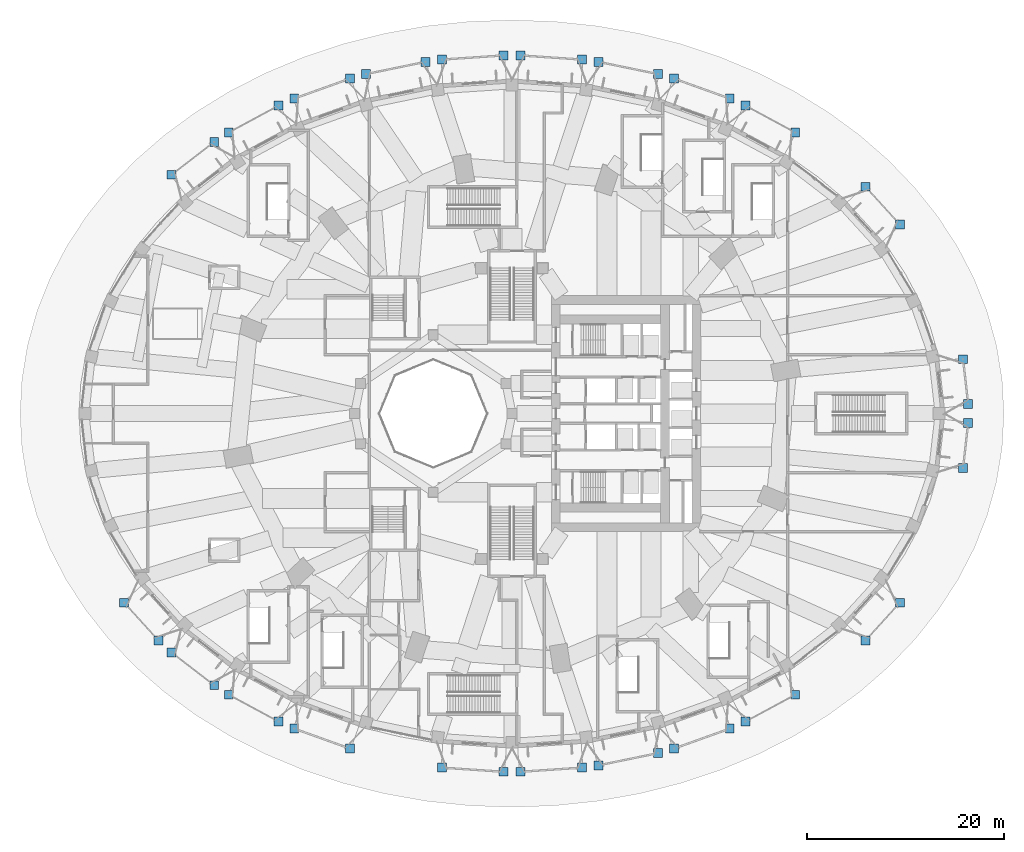
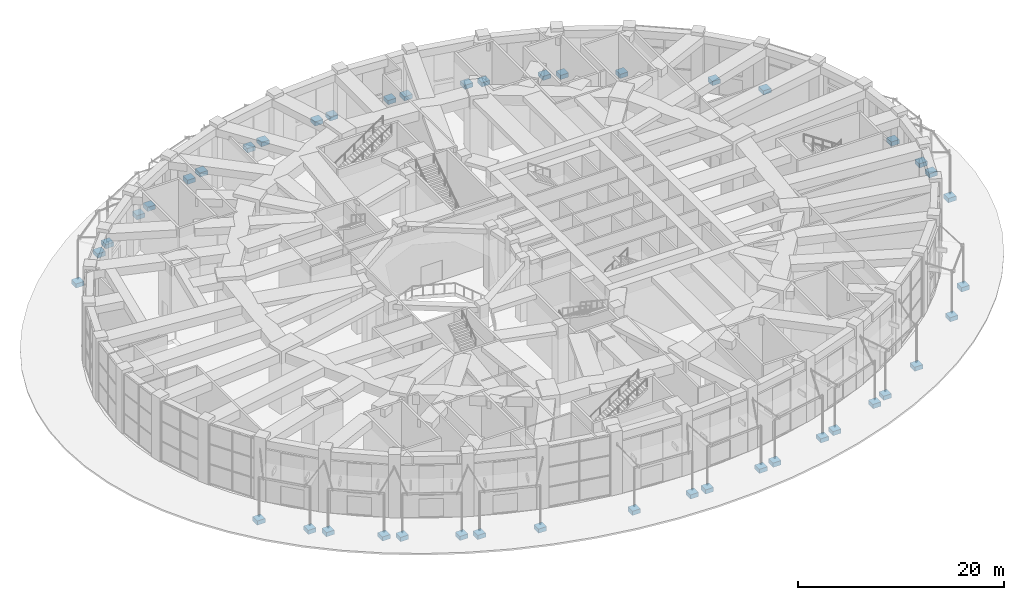
# One storey, part 1 of 60: 44 footings.
"""IFC4 building model written with IfcOpenShell, lengths in metres."""

from ifc_helpers import new_model, si_unit, direction, frame, origin, place, context, subcontext, project, spatial, polyline, outline, extrude, material, layer, layer_set, type_object, element, save


model = new_model("IFC4")

# Units and contexts
model_context = context("Model", 3, precision=1e-05, world=origin(), true_north=direction((0.0, 1.0)))
body_context = subcontext(model_context, "Body", "Model", "MODEL_VIEW")
ifc_project = project(units=[si_unit("LENGTHUNIT", "METRE"), si_unit("AREAUNIT", "SQUARE_METRE"), si_unit("VOLUMEUNIT", "CUBIC_METRE"), si_unit("PLANEANGLEUNIT", "RADIAN"), si_unit("MASSUNIT", "GRAM", prefix="KILO")], contexts=[model_context])

# Site, building, storey
site_placement = place(None, origin())
site = spatial("IfcSite", under=ifc_project, at=site_placement, CompositionType="ELEMENT")
building_placement = place(site_placement, origin())
building = spatial("IfcBuilding", under=site, at=building_placement, Name="Taillehof Tower", CompositionType="ELEMENT")
storey_placement = place(building_placement, origin())
storey = spatial("IfcBuildingStorey", under=building, at=storey_placement, Name="L00", CompositionType="ELEMENT", Elevation=0.0)

# Footings
ifc_material = material(Name="Concrete C35/45", Category="concrete")
ifc_layer = layer(ifc_material, 0.5)
ifc_layer_set = layer_set([ifc_layer], Name="Canopy post footing 900x500")
footing_type = type_object("IfcFootingType", Name="Canopy post footing 900x500", PredefinedType="PAD_FOOTING", material=ifc_layer_set)
footing_1_placement = place(storey_placement, frame((0.0, 0.0, -0.699951171875)))
element("IfcFooting", 1, at=footing_1_placement, inside=storey, type_object=footing_type, Name="Canopy post footing E18", PredefinedType="PAD_FOOTING", context=body_context, shape_type="SweptSolid", body=[
    extrude(outline(polyline([(45.90673828125, 0.518798828125), (46.806640625, 0.518798828125), (46.806640625, 1.4189453125), (45.90673828125, 1.4189453125), (45.90673828125, 0.518798828125)])), origin(), (0.0, 0.0, 1.0), 0.5),
])
footing_2_placement = place(storey_placement, frame((0.0, 0.0, -0.699951171875)))
element("IfcFooting", 2, at=footing_2_placement, inside=storey, type_object=footing_type, Name="Canopy post footing E18", PredefinedType="PAD_FOOTING", context=body_context, shape_type="SweptSolid", body=[
    extrude(outline(polyline([(45.389404296875, 5.068603515625), (46.28955078125, 5.068603515625), (46.28955078125, 5.968505859375), (45.389404296875, 5.968505859375), (45.389404296875, 5.068603515625)])), origin(), (0.0, 0.0, 1.0), 0.5),
])
footing_3_placement = place(storey_placement, frame((0.0, 0.0, -0.699951171875)))
element("IfcFooting", 3, at=footing_3_placement, inside=storey, type_object=footing_type, Name="Canopy post footing E14", PredefinedType="PAD_FOOTING", context=body_context, shape_type="SweptSolid", body=[
    extrude(outline(polyline([(38.96337890625, 18.7705078125), (39.86328125, 18.7705078125), (39.86328125, 19.67041015625), (38.96337890625, 19.67041015625), (38.96337890625, 18.7705078125)])), origin(), (0.0, 0.0, 1.0), 0.5),
])
footing_4_placement = place(storey_placement, frame((0.0, 0.0, -0.699951171875)))
element("IfcFooting", 4, at=footing_4_placement, inside=storey, type_object=footing_type, Name="Canopy post footing E14", PredefinedType="PAD_FOOTING", context=body_context, shape_type="SweptSolid", body=[
    extrude(outline(polyline([(35.480224609375, 22.599365234375), (36.380126953125, 22.599365234375), (36.380126953125, 23.49951171875), (35.480224609375, 23.49951171875), (35.480224609375, 22.599365234375)])), origin(), (0.0, 0.0, 1.0), 0.5),
])
footing_5_placement = place(storey_placement, frame((0.0, 0.0, -0.699951171875)))
element("IfcFooting", 5, at=footing_5_placement, inside=storey, type_object=footing_type, Name="Canopy post footing E9", PredefinedType="PAD_FOOTING", context=body_context, shape_type="SweptSolid", body=[
    extrude(outline(polyline([(28.330322265625, 28.123291015625), (29.23046875, 28.123291015625), (29.23046875, 29.0234375), (28.330322265625, 29.0234375), (28.330322265625, 28.123291015625)])), origin(), (0.0, 0.0, 1.0), 0.5),
])
footing_6_placement = place(storey_placement, frame((0.0, 0.0, -0.699951171875)))
element("IfcFooting", 6, at=footing_6_placement, inside=storey, type_object=footing_type, Name="Canopy post footing E9", PredefinedType="PAD_FOOTING", context=body_context, shape_type="SweptSolid", body=[
    extrude(outline(polyline([(23.26171875, 30.85498046875), (24.16162109375, 30.85498046875), (24.16162109375, 31.755126953125), (23.26171875, 31.755126953125), (23.26171875, 30.85498046875)])), origin(), (0.0, 0.0, 1.0), 0.5),
])
footing_7_placement = place(storey_placement, frame((0.0, 0.0, -0.699951171875)))
element("IfcFooting", 7, at=footing_7_placement, inside=storey, type_object=footing_type, Name="Canopy post footing E10", PredefinedType="PAD_FOOTING", context=body_context, shape_type="SweptSolid", body=[
    extrude(outline(polyline([(21.676025390625, 31.56201171875), (22.575927734375, 31.56201171875), (22.575927734375, 32.462158203125), (21.676025390625, 32.462158203125), (21.676025390625, 31.56201171875)])), origin(), (0.0, 0.0, 1.0), 0.5),
])
footing_8_placement = place(storey_placement, frame((0.0, 0.0, -0.699951171875)))
element("IfcFooting", 8, at=footing_8_placement, inside=storey, type_object=footing_type, Name="Canopy post footing E10", PredefinedType="PAD_FOOTING", context=body_context, shape_type="SweptSolid", body=[
    extrude(outline(polyline([(16.029296875, 33.588623046875), (16.929443359375, 33.588623046875), (16.929443359375, 34.48876953125), (16.029296875, 34.48876953125), (16.029296875, 33.588623046875)])), origin(), (0.0, 0.0, 1.0), 0.5),
])
footing_9_placement = place(storey_placement, frame((0.0, 0.0, -0.699951171875)))
element("IfcFooting", 9, at=footing_9_placement, inside=storey, type_object=footing_type, Name="Canopy post footing E11", PredefinedType="PAD_FOOTING", context=body_context, shape_type="SweptSolid", body=[
    extrude(outline(polyline([(14.379638671875, 34.05224609375), (15.279541015625, 34.05224609375), (15.279541015625, 34.952392578125), (14.379638671875, 34.952392578125), (14.379638671875, 34.05224609375)])), origin(), (0.0, 0.0, 1.0), 0.5),
])
footing_10_placement = place(storey_placement, frame((0.0, 0.0, -0.699951171875)))
element("IfcFooting", 10, at=footing_10_placement, inside=storey, type_object=footing_type, Name="Canopy post footing E11", PredefinedType="PAD_FOOTING", context=body_context, shape_type="SweptSolid", body=[
    extrude(outline(polyline([(8.333251953125, 35.29931640625), (9.2333984375, 35.29931640625), (9.2333984375, 36.19921875), (8.333251953125, 36.19921875), (8.333251953125, 35.29931640625)])), origin(), (0.0, 0.0, 1.0), 0.5),
])
footing_11_placement = place(storey_placement, frame((0.0, 0.0, -0.699951171875)))
element("IfcFooting", 11, at=footing_11_placement, inside=storey, type_object=footing_type, Name="Canopy post footing E12", PredefinedType="PAD_FOOTING", context=body_context, shape_type="SweptSolid", body=[
    extrude(outline(polyline([(6.6484375, 35.528564453125), (7.548583984375, 35.528564453125), (7.548583984375, 36.4287109375), (6.6484375, 36.4287109375), (6.6484375, 35.528564453125)])), origin(), (0.0, 0.0, 1.0), 0.5),
])
footing_12_placement = place(storey_placement, frame((0.0, 0.0, -0.699951171875)))
element("IfcFooting", 12, at=footing_12_placement, inside=storey, type_object=footing_type, Name="Canopy post footing E12", PredefinedType="PAD_FOOTING", context=body_context, shape_type="SweptSolid", body=[
    extrude(outline(polyline([(0.39794921875, 35.949462890625), (1.2978515625, 35.949462890625), (1.2978515625, 36.849609375), (0.39794921875, 36.849609375), (0.39794921875, 35.949462890625)])), origin(), (0.0, 0.0, 1.0), 0.5),
])
footing_13_placement = place(storey_placement, frame((0.0, 0.0, -0.699951171875)))
element("IfcFooting", 13, at=footing_13_placement, inside=storey, type_object=footing_type, Name="Canopy post footing E16", PredefinedType="PAD_FOOTING", context=body_context, shape_type="SweptSolid", body=[
    extrude(outline(polyline([(-1.2978515625, 35.949462890625), (-0.39794921875, 35.949462890625), (-0.39794921875, 36.849609375), (-1.2978515625, 36.849609375), (-1.2978515625, 35.949462890625)])), origin(), (0.0, 0.0, 1.0), 0.5),
])
footing_14_placement = place(storey_placement, frame((0.0, 0.0, -0.699951171875)))
element("IfcFooting", 14, at=footing_14_placement, inside=storey, type_object=footing_type, Name="Canopy post footing E16", PredefinedType="PAD_FOOTING", context=body_context, shape_type="SweptSolid", body=[
    extrude(outline(polyline([(-7.548583984375, 35.528564453125), (-6.6484375, 35.528564453125), (-6.6484375, 36.4287109375), (-7.548583984375, 36.4287109375), (-7.548583984375, 35.528564453125)])), origin(), (0.0, 0.0, 1.0), 0.5),
])
footing_15_placement = place(storey_placement, frame((0.0, 0.0, -0.699951171875)))
element("IfcFooting", 15, at=footing_15_placement, inside=storey, type_object=footing_type, Name="Canopy post footing E17", PredefinedType="PAD_FOOTING", context=body_context, shape_type="SweptSolid", body=[
    extrude(outline(polyline([(-9.2333984375, 35.29931640625), (-8.333251953125, 35.29931640625), (-8.333251953125, 36.19921875), (-9.2333984375, 36.19921875), (-9.2333984375, 35.29931640625)])), origin(), (0.0, 0.0, 1.0), 0.5),
])
footing_16_placement = place(storey_placement, frame((0.0, 0.0, -0.699951171875)))
element("IfcFooting", 16, at=footing_16_placement, inside=storey, type_object=footing_type, Name="Canopy post footing E17", PredefinedType="PAD_FOOTING", context=body_context, shape_type="SweptSolid", body=[
    extrude(outline(polyline([(-15.279541015625, 34.05224609375), (-14.379638671875, 34.05224609375), (-14.379638671875, 34.952392578125), (-15.279541015625, 34.952392578125), (-15.279541015625, 34.05224609375)])), origin(), (0.0, 0.0, 1.0), 0.5),
])
footing_17_placement = place(storey_placement, frame((0.0, 0.0, -0.699951171875)))
element("IfcFooting", 17, at=footing_17_placement, inside=storey, type_object=footing_type, Name="Canopy post footing E1", PredefinedType="PAD_FOOTING", context=body_context, shape_type="SweptSolid", body=[
    extrude(outline(polyline([(-16.929443359375, 33.588623046875), (-16.029296875, 33.588623046875), (-16.029296875, 34.48876953125), (-16.929443359375, 34.48876953125), (-16.929443359375, 33.588623046875)])), origin(), (0.0, 0.0, 1.0), 0.5),
])
footing_18_placement = place(storey_placement, frame((0.0, 0.0, -0.699951171875)))
element("IfcFooting", 18, at=footing_18_placement, inside=storey, type_object=footing_type, Name="Canopy post footing E1", PredefinedType="PAD_FOOTING", context=body_context, shape_type="SweptSolid", body=[
    extrude(outline(polyline([(-22.575927734375, 31.56201171875), (-21.676025390625, 31.56201171875), (-21.676025390625, 32.462158203125), (-22.575927734375, 32.462158203125), (-22.575927734375, 31.56201171875)])), origin(), (0.0, 0.0, 1.0), 0.5),
])
footing_19_placement = place(storey_placement, frame((0.0, 0.0, -0.699951171875)))
element("IfcFooting", 19, at=footing_19_placement, inside=storey, type_object=footing_type, Name="Canopy post footing E20", PredefinedType="PAD_FOOTING", context=body_context, shape_type="SweptSolid", body=[
    extrude(outline(polyline([(-24.16162109375, 30.85498046875), (-23.26171875, 30.85498046875), (-23.26171875, 31.755126953125), (-24.16162109375, 31.755126953125), (-24.16162109375, 30.85498046875)])), origin(), (0.0, 0.0, 1.0), 0.5),
])
footing_20_placement = place(storey_placement, frame((0.0, 0.0, -0.699951171875)))
element("IfcFooting", 20, at=footing_20_placement, inside=storey, type_object=footing_type, Name="Canopy post footing E20", PredefinedType="PAD_FOOTING", context=body_context, shape_type="SweptSolid", body=[
    extrude(outline(polyline([(-29.23046875, 28.123291015625), (-28.330322265625, 28.123291015625), (-28.330322265625, 29.0234375), (-29.23046875, 29.0234375), (-29.23046875, 28.123291015625)])), origin(), (0.0, 0.0, 1.0), 0.5),
])
footing_21_placement = place(storey_placement, frame((0.0, 0.0, -0.699951171875)))
element("IfcFooting", 21, at=footing_21_placement, inside=storey, type_object=footing_type, Name="Canopy post footing E2", PredefinedType="PAD_FOOTING", context=body_context, shape_type="SweptSolid", body=[
    extrude(outline(polyline([(-30.713623046875, 27.161865234375), (-29.813720703125, 27.161865234375), (-29.813720703125, 28.06201171875), (-30.713623046875, 28.06201171875), (-30.713623046875, 27.161865234375)])), origin(), (0.0, 0.0, 1.0), 0.5),
])
footing_22_placement = place(storey_placement, frame((0.0, 0.0, -0.699951171875)))
element("IfcFooting", 22, at=footing_22_placement, inside=storey, type_object=footing_type, Name="Canopy post footing E2", PredefinedType="PAD_FOOTING", context=body_context, shape_type="SweptSolid", body=[
    extrude(outline(polyline([(-35.05078125, 23.82373046875), (-34.15087890625, 23.82373046875), (-34.15087890625, 24.7236328125), (-35.05078125, 24.7236328125), (-35.05078125, 23.82373046875)])), origin(), (0.0, 0.0, 1.0), 0.5),
])
footing_23_placement = place(storey_placement, frame((0.0, 0.0, -0.699951171875)))
element("IfcFooting", 23, at=footing_23_placement, inside=storey, type_object=footing_type, Name="Canopy post footing E3", PredefinedType="PAD_FOOTING", context=body_context, shape_type="SweptSolid", body=[
    extrude(outline(polyline([(-39.86328125, -19.67041015625), (-38.96337890625, -19.67041015625), (-38.96337890625, -18.7705078125), (-39.86328125, -18.7705078125), (-39.86328125, -19.67041015625)])), origin(), (0.0, 0.0, 1.0), 0.5),
])
footing_24_placement = place(storey_placement, frame((0.0, 0.0, -0.699951171875)))
element("IfcFooting", 24, at=footing_24_placement, inside=storey, type_object=footing_type, Name="Canopy post footing E3", PredefinedType="PAD_FOOTING", context=body_context, shape_type="SweptSolid", body=[
    extrude(outline(polyline([(-36.380126953125, -23.49951171875), (-35.480224609375, -23.49951171875), (-35.480224609375, -22.599365234375), (-36.380126953125, -22.599365234375), (-36.380126953125, -23.49951171875)])), origin(), (0.0, 0.0, 1.0), 0.5),
])
footing_25_placement = place(storey_placement, frame((0.0, 0.0, -0.699951171875)))
element("IfcFooting", 25, at=footing_25_placement, inside=storey, type_object=footing_type, Name="Canopy post footing E4", PredefinedType="PAD_FOOTING", context=body_context, shape_type="SweptSolid", body=[
    extrude(outline(polyline([(-35.05078125, -24.7236328125), (-34.15087890625, -24.7236328125), (-34.15087890625, -23.82373046875), (-35.05078125, -23.82373046875), (-35.05078125, -24.7236328125)])), origin(), (0.0, 0.0, 1.0), 0.5),
])
footing_26_placement = place(storey_placement, frame((0.0, 0.0, -0.699951171875)))
element("IfcFooting", 26, at=footing_26_placement, inside=storey, type_object=footing_type, Name="Canopy post footing E4", PredefinedType="PAD_FOOTING", context=body_context, shape_type="SweptSolid", body=[
    extrude(outline(polyline([(-30.713623046875, -28.06201171875), (-29.813720703125, -28.06201171875), (-29.813720703125, -27.161865234375), (-30.713623046875, -27.161865234375), (-30.713623046875, -28.06201171875)])), origin(), (0.0, 0.0, 1.0), 0.5),
])
footing_27_placement = place(storey_placement, frame((0.0, 0.0, -0.699951171875)))
element("IfcFooting", 27, at=footing_27_placement, inside=storey, type_object=footing_type, Name="Canopy post footing E21", PredefinedType="PAD_FOOTING", context=body_context, shape_type="SweptSolid", body=[
    extrude(outline(polyline([(-29.23046875, -29.0234375), (-28.330322265625, -29.0234375), (-28.330322265625, -28.123291015625), (-29.23046875, -28.123291015625), (-29.23046875, -29.0234375)])), origin(), (0.0, 0.0, 1.0), 0.5),
])
footing_28_placement = place(storey_placement, frame((0.0, 0.0, -0.699951171875)))
element("IfcFooting", 28, at=footing_28_placement, inside=storey, type_object=footing_type, Name="Canopy post footing E21", PredefinedType="PAD_FOOTING", context=body_context, shape_type="SweptSolid", body=[
    extrude(outline(polyline([(-24.16162109375, -31.755126953125), (-23.26171875, -31.755126953125), (-23.26171875, -30.85498046875), (-24.16162109375, -30.85498046875), (-24.16162109375, -31.755126953125)])), origin(), (0.0, 0.0, 1.0), 0.5),
])
footing_29_placement = place(storey_placement, frame((0.0, 0.0, -0.699951171875)))
element("IfcFooting", 29, at=footing_29_placement, inside=storey, type_object=footing_type, Name="Canopy post footing E15", PredefinedType="PAD_FOOTING", context=body_context, shape_type="SweptSolid", body=[
    extrude(outline(polyline([(-22.575927734375, -32.462158203125), (-21.676025390625, -32.462158203125), (-21.676025390625, -31.56201171875), (-22.575927734375, -31.56201171875), (-22.575927734375, -32.462158203125)])), origin(), (0.0, 0.0, 1.0), 0.5),
])
footing_30_placement = place(storey_placement, frame((0.0, 0.0, -0.699951171875)))
element("IfcFooting", 30, at=footing_30_placement, inside=storey, type_object=footing_type, Name="Canopy post footing E15", PredefinedType="PAD_FOOTING", context=body_context, shape_type="SweptSolid", body=[
    extrude(outline(polyline([(-16.929443359375, -34.48876953125), (-16.029296875, -34.48876953125), (-16.029296875, -33.588623046875), (-16.929443359375, -33.588623046875), (-16.929443359375, -34.48876953125)])), origin(), (0.0, 0.0, 1.0), 0.5),
])
footing_31_placement = place(storey_placement, frame((0.0, 0.0, -0.699951171875)))
element("IfcFooting", 31, at=footing_31_placement, inside=storey, type_object=footing_type, Name="Canopy post footing E5", PredefinedType="PAD_FOOTING", context=body_context, shape_type="SweptSolid", body=[
    extrude(outline(polyline([(-7.548583984375, -36.4287109375), (-6.6484375, -36.4287109375), (-6.6484375, -35.528564453125), (-7.548583984375, -35.528564453125), (-7.548583984375, -36.4287109375)])), origin(), (0.0, 0.0, 1.0), 0.5),
])
footing_32_placement = place(storey_placement, frame((0.0, 0.0, -0.699951171875)))
element("IfcFooting", 32, at=footing_32_placement, inside=storey, type_object=footing_type, Name="Canopy post footing E5", PredefinedType="PAD_FOOTING", context=body_context, shape_type="SweptSolid", body=[
    extrude(outline(polyline([(-1.2978515625, -36.849609375), (-0.39794921875, -36.849609375), (-0.39794921875, -35.949462890625), (-1.2978515625, -35.949462890625), (-1.2978515625, -36.849609375)])), origin(), (0.0, 0.0, 1.0), 0.5),
])
footing_33_placement = place(storey_placement, frame((0.0, 0.0, -0.699951171875)))
element("IfcFooting", 33, at=footing_33_placement, inside=storey, type_object=footing_type, Name="Canopy post footing E6", PredefinedType="PAD_FOOTING", context=body_context, shape_type="SweptSolid", body=[
    extrude(outline(polyline([(0.39794921875, -36.849609375), (1.2978515625, -36.849609375), (1.2978515625, -35.949462890625), (0.39794921875, -35.949462890625), (0.39794921875, -36.849609375)])), origin(), (0.0, 0.0, 1.0), 0.5),
])
footing_34_placement = place(storey_placement, frame((0.0, 0.0, -0.699951171875)))
element("IfcFooting", 34, at=footing_34_placement, inside=storey, type_object=footing_type, Name="Canopy post footing E6", PredefinedType="PAD_FOOTING", context=body_context, shape_type="SweptSolid", body=[
    extrude(outline(polyline([(6.6484375, -36.4287109375), (7.548583984375, -36.4287109375), (7.548583984375, -35.528564453125), (6.6484375, -35.528564453125), (6.6484375, -36.4287109375)])), origin(), (0.0, 0.0, 1.0), 0.5),
])
footing_35_placement = place(storey_placement, frame((0.0, 0.0, -0.699951171875)))
element("IfcFooting", 35, at=footing_35_placement, inside=storey, type_object=footing_type, Name="Canopy post footing E7", PredefinedType="PAD_FOOTING", context=body_context, shape_type="SweptSolid", body=[
    extrude(outline(polyline([(8.333251953125, -36.19921875), (9.2333984375, -36.19921875), (9.2333984375, -35.29931640625), (8.333251953125, -35.29931640625), (8.333251953125, -36.19921875)])), origin(), (0.0, 0.0, 1.0), 0.5),
])
footing_36_placement = place(storey_placement, frame((0.0, 0.0, -0.699951171875)))
element("IfcFooting", 36, at=footing_36_placement, inside=storey, type_object=footing_type, Name="Canopy post footing E7", PredefinedType="PAD_FOOTING", context=body_context, shape_type="SweptSolid", body=[
    extrude(outline(polyline([(14.379638671875, -34.952392578125), (15.279541015625, -34.952392578125), (15.279541015625, -34.05224609375), (14.379638671875, -34.05224609375), (14.379638671875, -34.952392578125)])), origin(), (0.0, 0.0, 1.0), 0.5),
])
footing_37_placement = place(storey_placement, frame((0.0, 0.0, -0.699951171875)))
element("IfcFooting", 37, at=footing_37_placement, inside=storey, type_object=footing_type, Name="Canopy post footing E8", PredefinedType="PAD_FOOTING", context=body_context, shape_type="SweptSolid", body=[
    extrude(outline(polyline([(16.029296875, -34.48876953125), (16.929443359375, -34.48876953125), (16.929443359375, -33.588623046875), (16.029296875, -33.588623046875), (16.029296875, -34.48876953125)])), origin(), (0.0, 0.0, 1.0), 0.5),
])
footing_38_placement = place(storey_placement, frame((0.0, 0.0, -0.699951171875)))
element("IfcFooting", 38, at=footing_38_placement, inside=storey, type_object=footing_type, Name="Canopy post footing E8", PredefinedType="PAD_FOOTING", context=body_context, shape_type="SweptSolid", body=[
    extrude(outline(polyline([(21.676025390625, -32.462158203125), (22.575927734375, -32.462158203125), (22.575927734375, -31.56201171875), (21.676025390625, -31.56201171875), (21.676025390625, -32.462158203125)])), origin(), (0.0, 0.0, 1.0), 0.5),
])
footing_39_placement = place(storey_placement, frame((0.0, 0.0, -0.699951171875)))
element("IfcFooting", 39, at=footing_39_placement, inside=storey, type_object=footing_type, Name="Canopy post footing E22", PredefinedType="PAD_FOOTING", context=body_context, shape_type="SweptSolid", body=[
    extrude(outline(polyline([(23.26171875, -31.755126953125), (24.16162109375, -31.755126953125), (24.16162109375, -30.85498046875), (23.26171875, -30.85498046875), (23.26171875, -31.755126953125)])), origin(), (0.0, 0.0, 1.0), 0.5),
])
footing_40_placement = place(storey_placement, frame((0.0, 0.0, -0.699951171875)))
element("IfcFooting", 40, at=footing_40_placement, inside=storey, type_object=footing_type, Name="Canopy post footing E22", PredefinedType="PAD_FOOTING", context=body_context, shape_type="SweptSolid", body=[
    extrude(outline(polyline([(28.330322265625, -29.0234375), (29.23046875, -29.0234375), (29.23046875, -28.123291015625), (28.330322265625, -28.123291015625), (28.330322265625, -29.0234375)])), origin(), (0.0, 0.0, 1.0), 0.5),
])
footing_41_placement = place(storey_placement, frame((0.0, 0.0, -0.699951171875)))
element("IfcFooting", 41, at=footing_41_placement, inside=storey, type_object=footing_type, Name="Canopy post footing E13", PredefinedType="PAD_FOOTING", context=body_context, shape_type="SweptSolid", body=[
    extrude(outline(polyline([(35.480224609375, -23.49951171875), (36.380126953125, -23.49951171875), (36.380126953125, -22.599365234375), (35.480224609375, -22.599365234375), (35.480224609375, -23.49951171875)])), origin(), (0.0, 0.0, 1.0), 0.5),
])
footing_42_placement = place(storey_placement, frame((0.0, 0.0, -0.699951171875)))
element("IfcFooting", 42, at=footing_42_placement, inside=storey, type_object=footing_type, Name="Canopy post footing E13", PredefinedType="PAD_FOOTING", context=body_context, shape_type="SweptSolid", body=[
    extrude(outline(polyline([(38.96337890625, -19.67041015625), (39.86328125, -19.67041015625), (39.86328125, -18.7705078125), (38.96337890625, -18.7705078125), (38.96337890625, -19.67041015625)])), origin(), (0.0, 0.0, 1.0), 0.5),
])
footing_43_placement = place(storey_placement, frame((0.0, 0.0, -0.699951171875)))
element("IfcFooting", 43, at=footing_43_placement, inside=storey, type_object=footing_type, Name="Canopy post footing E19", PredefinedType="PAD_FOOTING", context=body_context, shape_type="SweptSolid", body=[
    extrude(outline(polyline([(45.389404296875, -5.968505859375), (46.28955078125, -5.968505859375), (46.28955078125, -5.068603515625), (45.389404296875, -5.068603515625), (45.389404296875, -5.968505859375)])), origin(), (0.0, 0.0, 1.0), 0.5),
])
footing_44_placement = place(storey_placement, frame((0.0, 0.0, -0.699951171875)))
element("IfcFooting", 44, at=footing_44_placement, inside=storey, type_object=footing_type, Name="Canopy post footing E19", PredefinedType="PAD_FOOTING", context=body_context, shape_type="SweptSolid", body=[
    extrude(outline(polyline([(45.90673828125, -1.4189453125), (46.806640625, -1.4189453125), (46.806640625, -0.518798828125), (45.90673828125, -0.518798828125), (45.90673828125, -1.4189453125)])), origin(), (0.0, 0.0, 1.0), 0.5),
])

save(model, "model.ifc")
